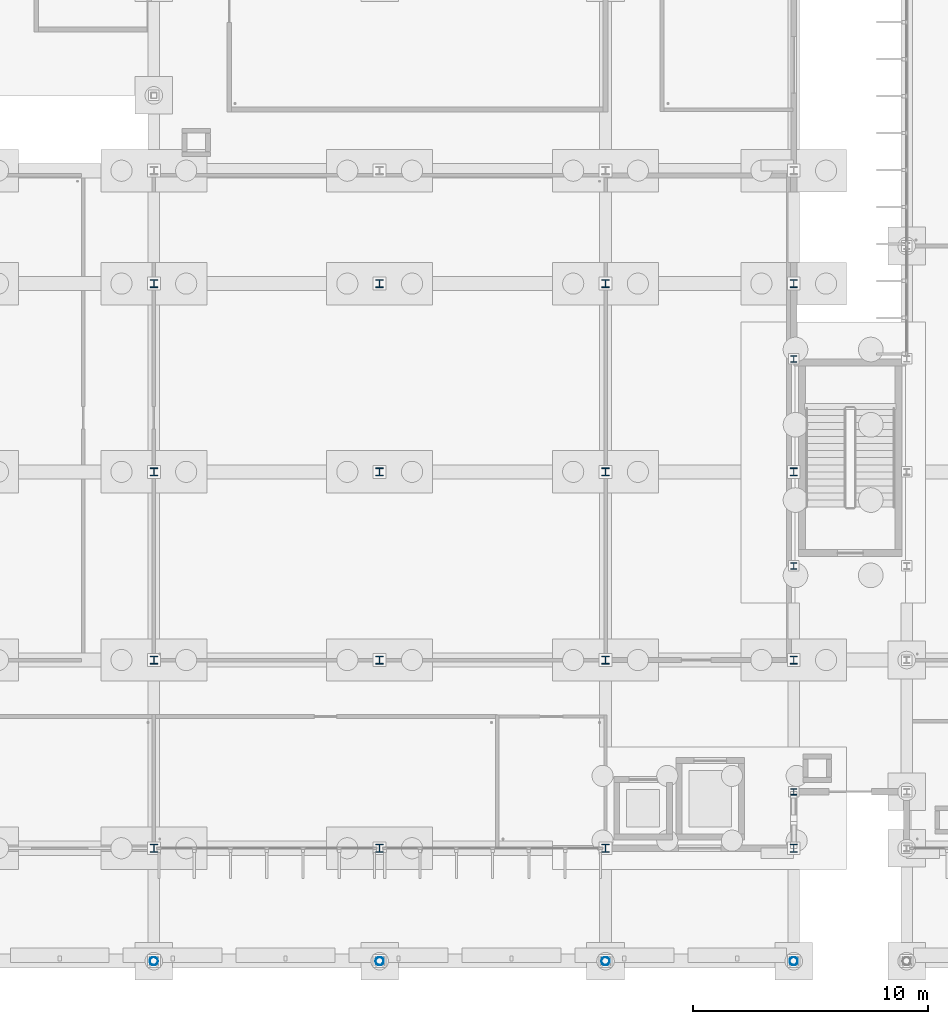
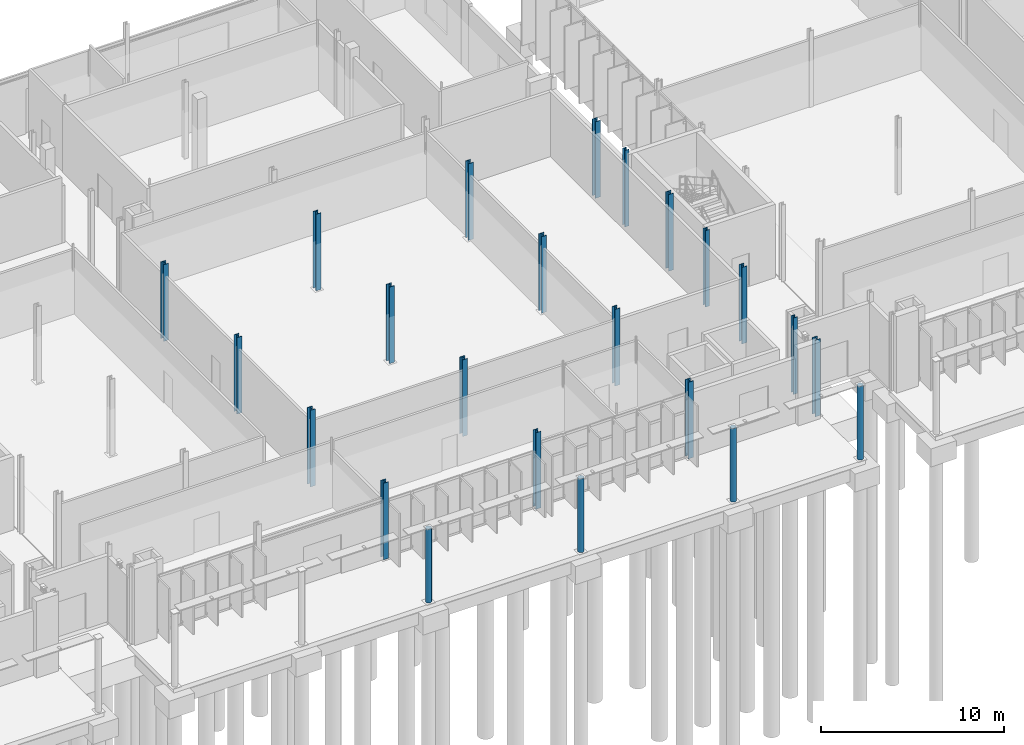
# One storey, part 12 of 111: 23 columns.
"""IFC4 building model written with IfcOpenShell, lengths in metres."""

import ifcopenshell
import ifcopenshell.guid

model = None  # the IFC model being written
_history = None  # IfcOwnerHistory: only IFC2X3 demands one
_inside = {}  # id of a spatial element -> (the spatial element, [elements in it])
_under = {}  # id of a project, library or spatial element -> (it, [spatial elements below it])
_declared = {}  # id of a project -> (the project, [libraries it declares])
_typed = {}  # id of a type object -> (the type object, [elements of that type])
_made_of = {}  # id of a material, layer set ... -> (it, [elements and type objects made of it])


def new_model(schema):
    """Start an empty IFC model of exactly this schema.

    Asked for "IFC4X3", IfcOpenShell would pick the latest addendum, in which some entities
    have other attributes; the version numbers below select the first issue.
    IFC2X3 requires an IfcOwnerHistory on every rooted entity: one is made here for all.
    """
    global model, _history
    if schema == "IFC4X3":
        model = ifcopenshell.file(schema_version=(4, 3, 0, 0))
    else:
        model = ifcopenshell.file(schema=schema)
    _inside.clear()
    _under.clear()
    _declared.clear()
    _typed.clear()
    _made_of.clear()
    _history = None
    if model.schema == "IFC2X3":
        org = make("IfcOrganization", Name="unknown")
        user = make(
            "IfcPersonAndOrganization",
            ThePerson=make("IfcPerson", FamilyName="unknown"),
            TheOrganization=org,
        )
        app = make(
            "IfcApplication",
            ApplicationDeveloper=org,
            Version="unknown",
            ApplicationFullName="unknown",
            ApplicationIdentifier="unknown",
        )
        _history = make(
            "IfcOwnerHistory",
            OwningUser=user,
            OwningApplication=app,
            ChangeAction="ADDED",
            CreationDate=0,
        )
    return model


def make(cls, **values):
    """One entity of the class cls with the attributes given. An attribute that is None is left unset."""
    return model.create_entity(
        cls, **{name: value for name, value in values.items() if value is not None}
    )


def rooted(cls, **values):
    """An entity with a GlobalId (a new one), such as an element, a storey or a relation."""
    return make(cls, GlobalId=ifcopenshell.guid.new(), OwnerHistory=_history, **values)


def si_unit(unit_type, name, prefix=None):
    """IfcSIUnit, for example si_unit("LENGTHUNIT", "METRE", prefix="MILLI")."""
    return make("IfcSIUnit", UnitType=unit_type, Prefix=prefix, Name=name)


def assignment(units):
    """IfcUnitAssignment: the units of a project."""
    return None if units is None else make("IfcUnitAssignment", Units=units)


def point(xyz):
    """IfcCartesianPoint."""
    return None if xyz is None else make("IfcCartesianPoint", Coordinates=xyz)


def direction(xyz):
    """IfcDirection."""
    return None if xyz is None else make("IfcDirection", DirectionRatios=xyz)


def frame(location, z_axis=None, x_axis=None):
    """IfcAxis2Placement3D, a coordinate frame: its origin and axes. An axis left out is left unset."""
    return make(
        "IfcAxis2Placement3D",
        Location=point(location),
        Axis=direction(z_axis),
        RefDirection=direction(x_axis),
    )


def frame_2d(location, x_axis=None):
    """IfcAxis2Placement2D, a coordinate frame in the plane: its origin and x axis."""
    return make(
        "IfcAxis2Placement2D", Location=point(location), RefDirection=direction(x_axis)
    )


def origin():
    """The frame at (0, 0, 0) with its axes left unset."""
    return frame((0.0, 0.0, 0.0))


def origin_2d():
    """The frame at (0, 0) in the plane with its x axis left unset."""
    return frame_2d((0.0, 0.0))


def place(relative_to, where):
    """IfcLocalPlacement: puts the frame where relative to a parent placement (None: the world)."""
    return make(
        "IfcLocalPlacement", PlacementRelTo=relative_to, RelativePlacement=where
    )


def context(
    kind, dimensions, precision=None, world=None, true_north=None, identifier=None
):
    """IfcGeometricRepresentationContext, for example the 3D "Model" context."""
    return make(
        "IfcGeometricRepresentationContext",
        ContextIdentifier=identifier,
        ContextType=kind,
        CoordinateSpaceDimension=dimensions,
        Precision=precision,
        WorldCoordinateSystem=world,
        TrueNorth=true_north,
    )


def subcontext(parent, identifier, kind, view, scale=None):
    """IfcGeometricRepresentationSubContext, for example "Body" below "Model"."""
    return make(
        "IfcGeometricRepresentationSubContext",
        ContextIdentifier=identifier,
        ContextType=kind,
        ParentContext=parent,
        TargetScale=scale,
        TargetView=view,
    )


def project(units=None, contexts=None):
    """IfcProject with its units and contexts."""
    return rooted(
        "IfcProject",
        Name="project",
        RepresentationContexts=contexts,
        UnitsInContext=assignment(units),
    )


def spatial(cls, under=None, at=None, **own):
    """A site, building, storey or space (cls), placed at a placement, below another one or the project."""
    s = rooted(cls, ObjectPlacement=at, **own)
    if under is not None:
        _under.setdefault(under.id(), (under, []))[1].append(s)
    return s


def profile(cls, at=None, kind="AREA", **sizes):
    """A parametric profile (cls). Its sizes go by their IFC names, for example OverallWidth=200.0."""
    return make(cls, ProfileType=kind, Position=at, **sizes)


def hollow_circle(**sizes):
    """IfcCircleHollowProfileDef."""
    return profile("IfcCircleHollowProfileDef", **sizes)


def i_section(**sizes):
    """IfcIShapeProfileDef."""
    return profile("IfcIShapeProfileDef", **sizes)


def extrude(swept, where, along, depth):
    """IfcExtrudedAreaSolid: the profile swept, set in the frame where, extruded along a direction by depth."""
    return make(
        "IfcExtrudedAreaSolid",
        SweptArea=swept,
        Position=where,
        ExtrudedDirection=direction(along),
        Depth=depth,
    )


def shape(context_of_items, identifier, shape_type, items):
    """IfcShapeRepresentation: the items that make up one representation, for example the "Body"."""
    return make(
        "IfcShapeRepresentation",
        ContextOfItems=context_of_items,
        RepresentationIdentifier=identifier,
        RepresentationType=shape_type,
        Items=items,
    )


def material(Name=None, Category=None):
    """IfcMaterial."""
    return make("IfcMaterial", Name=Name, Category=Category)


def material_profile(
    of_material, cross_section, Name=None, Category=None, Priority=None
):
    """IfcMaterialProfile: a cross section and its material."""
    return make(
        "IfcMaterialProfile",
        Name=Name,
        Material=of_material,
        Profile=cross_section,
        Priority=Priority,
        Category=Category,
    )


def profile_set(profiles, Name=None, composite=None):
    """IfcMaterialProfileSet."""
    return make(
        "IfcMaterialProfileSet",
        Name=Name,
        MaterialProfiles=profiles,
        CompositeProfile=composite,
    )


def made_of(thing, what):
    """Note that an element or type object is made of a material, layer set ...; save() writes the relation."""
    if what is not None:
        _made_of.setdefault(what.id(), (what, []))[1].append(thing)
    return thing


def type_object(cls, material=None, **own):
    """A type object (cls), such as IfcWallType, which elements share."""
    return made_of(rooted(cls, **own), material)


def element(
    cls,
    number,
    at=None,
    inside=None,
    cuts=None,
    type_object=None,
    material=None,
    context=None,
    identifier="Body",
    shape_type=None,
    held_by="IfcProductDefinitionShape",
    body=None,
    shapes=None,
    **own,
):
    """One element of the class cls, such as IfcWall. Its Tag is "e" and its number.

    at: its placement. inside: the storey or other place that contains it. cuts: it is an
    opening in that element (IfcRelVoidsElement). A single representation is given by context,
    identifier, shape_type and body (its items); several are given by shapes. held_by: the class
    of the entity that holds the representations. save() writes the other relations.
    """
    e = rooted(cls, Tag="e%d" % number, ObjectPlacement=at, **own)
    if body is not None:
        shapes = [shape(context, identifier, shape_type, body)]
    if shapes is not None:
        e.Representation = make(held_by, Representations=shapes)
    if inside is not None:
        _inside.setdefault(inside.id(), (inside, []))[1].append(e)
    if cuts is not None:
        rooted(
            "IfcRelVoidsElement", RelatingBuildingElement=cuts, RelatedOpeningElement=e
        )
    if type_object is not None:
        _typed.setdefault(type_object.id(), (type_object, []))[1].append(e)
    return made_of(e, material)


def aggregate(whole, parts):
    """IfcRelAggregates: a whole, such as a stair, and the parts it consists of."""
    return rooted("IfcRelAggregates", RelatingObject=whole, RelatedObjects=parts)


def save(model, path):
    """Write the relations noted so far, then the file.

    IfcRelAggregates (storeys below a building ...), IfcRelContainedInSpatialStructure (elements
    in a storey), IfcRelDefinesByType, IfcRelAssociatesMaterial and IfcRelDeclares: one each for
    every whole, place, type object, material and project.
    """
    for whole, parts in _under.values():
        aggregate(whole, parts)
    for where, things in _inside.values():
        rooted(
            "IfcRelContainedInSpatialStructure",
            RelatedElements=things,
            RelatingStructure=where,
        )
    for kind, things in _typed.values():
        rooted("IfcRelDefinesByType", RelatedObjects=things, RelatingType=kind)
    for what, things in _made_of.values():
        rooted("IfcRelAssociatesMaterial", RelatedObjects=things, RelatingMaterial=what)
    for by, libraries in _declared.values():
        rooted("IfcRelDeclares", RelatingContext=by, RelatedDefinitions=libraries)
    model.write(path)


model = new_model("IFC4")

# Units and contexts
model_context = context("Model", 3, precision=1e-05, world=origin(), true_north=direction((0.0, 1.0)))
body_context = subcontext(model_context, "Body", "Model", "MODEL_VIEW")
ifc_project = project(units=[si_unit("LENGTHUNIT", "METRE"), si_unit("AREAUNIT", "SQUARE_METRE"), si_unit("VOLUMEUNIT", "CUBIC_METRE"), si_unit("PLANEANGLEUNIT", "RADIAN"), si_unit("MASSUNIT", "GRAM", prefix="KILO")], contexts=[model_context])

# Site, building, storey
site_placement = place(None, origin())
site = spatial("IfcSite", under=ifc_project, at=site_placement, CompositionType="ELEMENT")
building_placement = place(site_placement, origin())
building = spatial("IfcBuilding", under=site, at=building_placement, Name="Dunescarp Central Library", CompositionType="ELEMENT")
storey_placement = place(building_placement, origin())
storey = spatial("IfcBuildingStorey", under=building, at=storey_placement, Name="L00", CompositionType="ELEMENT", Elevation=0.0)

# Columns
ifc_material_1 = material(Name="Steel S355J0", Category="steel")
ifc_material_profile_1 = material_profile(ifc_material_1, hollow_circle(Radius=0.177734375, WallThickness=0.012451171875, at=origin_2d()), Name="CHS 355.6x12.5")
ifc_profile_set_1 = profile_set([ifc_material_profile_1], Name="Steel S355J0")
column_type_1 = type_object("IfcColumnType", Name="STR-COL-CHS355", PredefinedType="COLUMN", material=ifc_profile_set_1)
for number, where, z_axis, x_axis, name in (
    (1, (97.60009765625, 0.0, 0.0), (0.0, 0.0, 1.0), (1.0, 0.0, 0.0), "L00 column COLS-976"),
    (2, (107.199951171875, 0.0, 0.0), (0.0, 0.0, 1.0), (1.0, 0.0, 0.0), "L00 column COLS-1072"),
    (3, (116.800048828125, 0.0, 0.0), (0.0, 0.0, 1.0), (1.0, 0.0, 0.0), "L00 column COLS-1168"),
    (4, (124.800048828125, 0.0, 0.0), (0.0, 0.0, 1.0), (1.0, 0.0, 0.0), "L00 column COLS-1248"),
):
    element("IfcColumn", number, at=place(storey_placement, frame(where, z_axis=z_axis, x_axis=x_axis)), inside=storey, type_object=column_type_1, Name=name, PredefinedType="COLUMN", context=body_context, shape_type="SweptSolid", body=[
        extrude(hollow_circle(Radius=0.177734375, WallThickness=0.012451171875, at=origin_2d()), origin(), (0.0, 0.0, 1.0), 4.909912109375),
    ])
ifc_material_2 = material(Name="Steel S355JR", Category="steel")
ifc_material_profile_2 = material_profile(ifc_material_2, i_section(OverallWidth=0.26123046875, OverallDepth=0.2763671875, WebThickness=0.015380859375, FlangeThickness=0.025390625, at=origin_2d()), Name="UC 254x254x132")
ifc_profile_set_2 = profile_set([ifc_material_profile_2], Name="Steel S355JR")
column_type_2 = type_object("IfcColumnType", Name="STR-COL-UC254X132", PredefinedType="COLUMN", material=ifc_profile_set_2)
for number, where, z_axis, x_axis, name in (
    (5, (124.800048828125, 7.199951171875, 0.0), (0.0, 0.0, 1.0), (1.0, 0.0, 0.0), "L00 column V3L-1248-72"),
    (6, (124.800048828125, 16.800048828125, 0.0), (0.0, 0.0, 1.0), (1.0, 0.0, 0.0), "L00 column V3L-1248-168"),
    (7, (124.800048828125, 25.60009765625, 0.0), (0.0, 0.0, 1.0), (1.0, 0.0, 0.0), "L00 column V3L-1248-256"),
):
    element("IfcColumn", number, at=place(storey_placement, frame(where, z_axis=z_axis, x_axis=x_axis)), inside=storey, type_object=column_type_2, Name=name, PredefinedType="COLUMN", context=body_context, shape_type="SweptSolid", body=[
        extrude(i_section(OverallWidth=0.26123046875, OverallDepth=0.2763671875, WebThickness=0.015380859375, FlangeThickness=0.025390625, at=origin_2d()), origin(), (0.0, 0.0, 1.0), 5.10009765625),
    ])
ifc_material_profile_3 = material_profile(ifc_material_2, i_section(OverallWidth=0.314453125, OverallDepth=0.33984375, WebThickness=0.01904296875, FlangeThickness=0.031494140625, at=origin_2d()), Name="UC 305x305x198")
ifc_profile_set_3 = profile_set([ifc_material_profile_3], Name="Steel S355JR")
column_type_3 = type_object("IfcColumnType", Name="STR-COL-UC305X198", PredefinedType="COLUMN", material=ifc_profile_set_3)
for number, where, z_axis, x_axis, name in (
    (8, (97.60009765625, 4.800048828125, 0.0), (0.0, 0.0, 1.0), (1.0, 0.0, 0.0), "L00 column V3-976-48"),
    (9, (97.60009765625, 12.800048828125, 0.0), (0.0, 0.0, 1.0), (1.0, 0.0, 0.0), "L00 column V3-976-128"),
    (10, (97.60009765625, 20.800048828125, 0.0), (0.0, 0.0, 1.0), (1.0, 0.0, 0.0), "L00 column V3-976-208"),
    (11, (97.60009765625, 28.800048828125, 0.0), (0.0, 0.0, 1.0), (1.0, 0.0, 0.0), "L00 column V3-976-288"),
    (12, (107.199951171875, 4.800048828125, 0.0), (0.0, 0.0, 1.0), (1.0, 0.0, 0.0), "L00 column V3-1072-48"),
    (13, (107.199951171875, 12.800048828125, 0.0), (0.0, 0.0, 1.0), (1.0, 0.0, 0.0), "L00 column V3-1072-128"),
    (14, (107.199951171875, 20.800048828125, 0.0), (0.0, 0.0, 1.0), (1.0, 0.0, 0.0), "L00 column V3-1072-208"),
    (15, (107.199951171875, 28.800048828125, 0.0), (0.0, 0.0, 1.0), (1.0, 0.0, 0.0), "L00 column V3-1072-288"),
    (16, (116.800048828125, 4.800048828125, 0.0), (0.0, 0.0, 1.0), (1.0, 0.0, 0.0), "L00 column V3-1168-48"),
    (17, (116.800048828125, 12.800048828125, 0.0), (0.0, 0.0, 1.0), (1.0, 0.0, 0.0), "L00 column V3-1168-128"),
    (18, (116.800048828125, 20.800048828125, 0.0), (0.0, 0.0, 1.0), (1.0, 0.0, 0.0), "L00 column V3-1168-208"),
    (19, (116.800048828125, 28.800048828125, 0.0), (0.0, 0.0, 1.0), (1.0, 0.0, 0.0), "L00 column V3-1168-288"),
    (20, (124.800048828125, 4.800048828125, 0.0), (0.0, 0.0, 1.0), (1.0, 0.0, 0.0), "L00 column V3-1248-48"),
    (21, (124.800048828125, 12.800048828125, 0.0), (0.0, 0.0, 1.0), (1.0, 0.0, 0.0), "L00 column V3-1248-128"),
    (22, (124.800048828125, 20.800048828125, 0.0), (0.0, 0.0, 1.0), (1.0, 0.0, 0.0), "L00 column V3-1248-208"),
    (23, (124.800048828125, 28.800048828125, 0.0), (0.0, 0.0, 1.0), (1.0, 0.0, 0.0), "L00 column V3-1248-288"),
):
    element("IfcColumn", number, at=place(storey_placement, frame(where, z_axis=z_axis, x_axis=x_axis)), inside=storey, type_object=column_type_3, Name=name, PredefinedType="COLUMN", context=body_context, shape_type="SweptSolid", body=[
        extrude(i_section(OverallWidth=0.314453125, OverallDepth=0.33984375, WebThickness=0.01904296875, FlangeThickness=0.031494140625, at=origin_2d()), origin(), (0.0, 0.0, 1.0), 5.10009765625),
    ])

save(model, "model.ifc")
